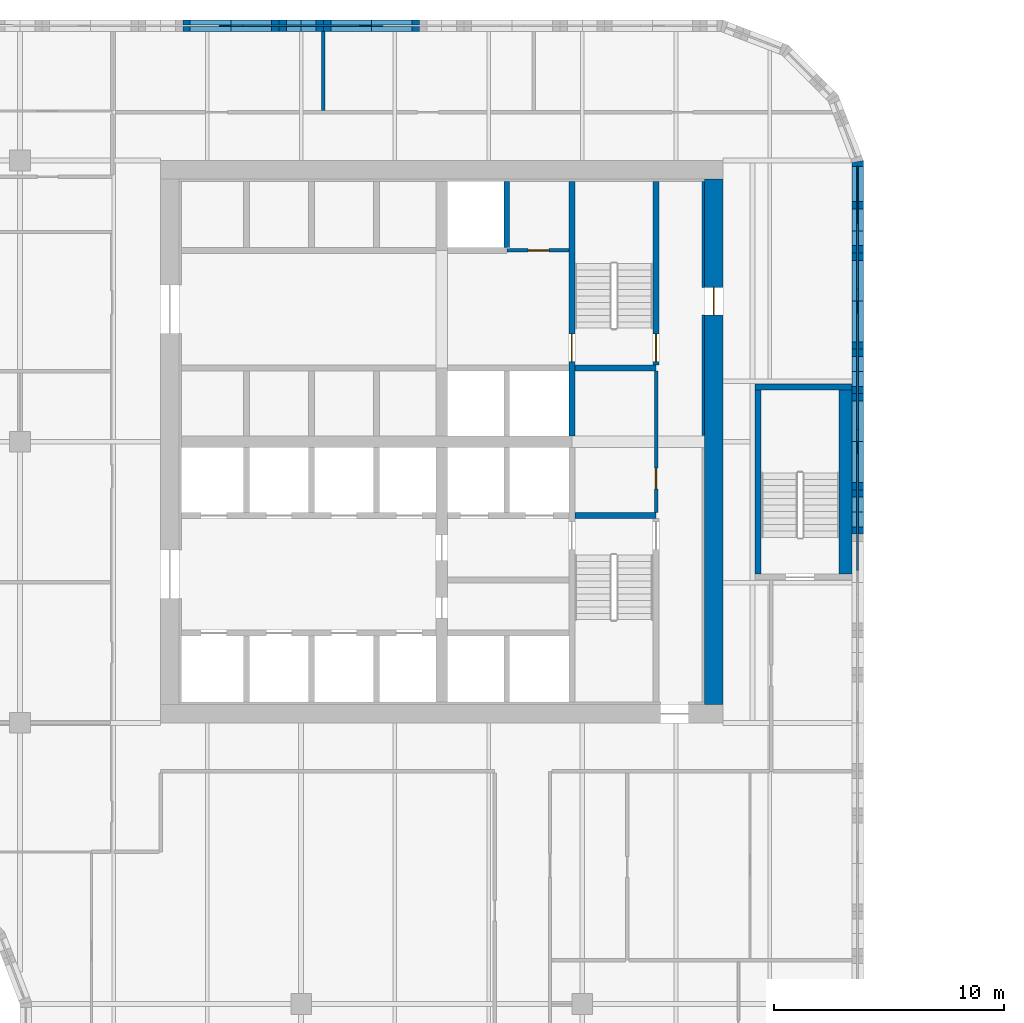
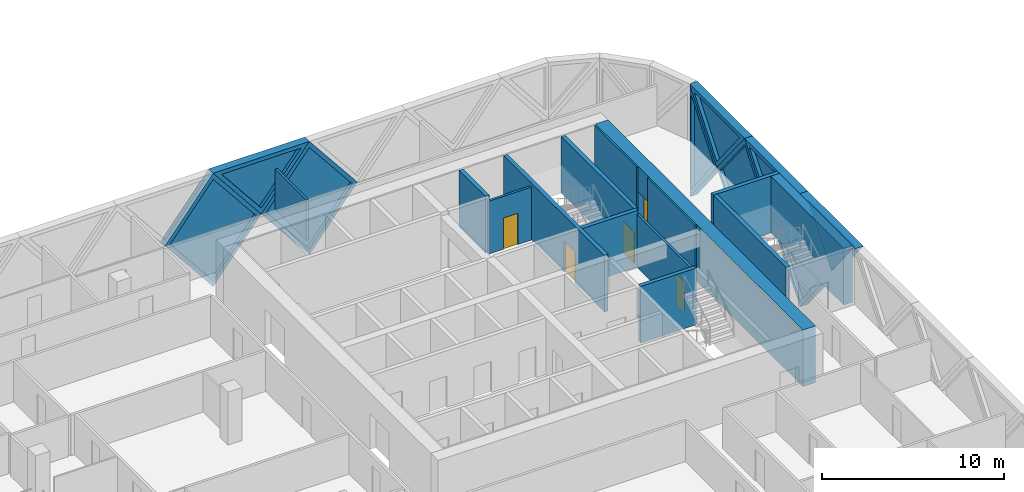
# One storey, part 13 of 24: 23 walls, 9 plates, 5 doors, 14 openings.
"""IFC4 building model written with IfcOpenShell, lengths in metres."""

from ifc_helpers import new_model, si_unit, direction, frame, frame_2d, origin, place, context, subcontext, project, spatial, polyline, rectangle, outline, extrude, faceted_brep, source, transform, mapped, material, layer, layer_set, type_object, element, fill, save


model = new_model("IFC4")

# Units and contexts
model_context = context("Model", 3, precision=1e-05, world=origin(), true_north=direction((0.0, 1.0)))
body_context = subcontext(model_context, "Body", "Model", "MODEL_VIEW")
ifc_project = project(units=[si_unit("LENGTHUNIT", "METRE"), si_unit("AREAUNIT", "SQUARE_METRE"), si_unit("VOLUMEUNIT", "CUBIC_METRE"), si_unit("PLANEANGLEUNIT", "RADIAN"), si_unit("MASSUNIT", "GRAM", prefix="KILO")], contexts=[model_context])

# Site, building, storey
site_placement = place(None, origin())
site = spatial("IfcSite", under=ifc_project, at=site_placement, CompositionType="ELEMENT")
building_placement = place(site_placement, origin())
building = spatial("IfcBuilding", under=site, at=building_placement, Name="Tessera Gate Towers", CompositionType="ELEMENT")
storey_placement = place(building_placement, frame((0.0, 0.0, 102.800048828125)))
storey = spatial("IfcBuildingStorey", under=building, at=storey_placement, Name="L25", CompositionType="ELEMENT", Elevation=102.800048828125)

# Wall, opening, door
ifc_material_1 = material(Name="Concrete C40/50", Category="concrete")
ifc_layer_1 = layer(ifc_material_1, 0.25)
ifc_layer_set_1 = layer_set([ifc_layer_1], Name="CORE ENCLOSURE WALL 250")
wall_type_1 = type_object("IfcWallType", Name="CORE ENCLOSURE WALL 250", PredefinedType="SOLIDWALL", material=ifc_layer_set_1)
wall_1_placement = place(storey_placement, frame((48.35009765625, 47.89990234375, 0.0), z_axis=(0.0, 0.0, 1.0), x_axis=(0.0, -1.0, 0.0)))
wall_1 = element("IfcWall", 1, at=wall_1_placement, inside=storey, type_object=wall_type_1, Name="L25 shaft and stair enclosure wall", PredefinedType="SOLIDWALL", context=body_context, shape_type="SweptSolid", body=[
    extrude(rectangle(XDim=11.0498046875, YDim=0.25, at=frame_2d((5.52490234375, 0.0))), origin(), (0.0, 0.0, 1.0), 3.800048828125),
])
shared_shape_1 = source(origin(), body_context, "Body", "SweptSolid", [
    extrude(rectangle(XDim=1.199951171875, YDim=2.10009765625, at=frame_2d((0.60009765625, 1.050048828125))), frame((0.0, 0.135009765625, 0.0), z_axis=(0.0, -1.0, 0.0), x_axis=(1.0, 0.0, 0.0)), (0.0, 0.0, 1.0), 0.27001953125),
])
opening_1_placement = place(wall_1_placement, frame((6.625, 0.0, 0.0)))
opening_1 = element("IfcOpeningElement", 2, at=opening_1_placement, cuts=wall_1, Name="Opening SD-ST2-1", PredefinedType="OPENING", context=body_context, shape_type="MappedRepresentation", body=[
    mapped(shared_shape_1, transform((0.0, 0.0, 0.0), scale=1.0)),
])
ifc_material_2 = material(Name="Hollow steel fire door", Category="steel")
door_type_1 = type_object("IfcDoorType", Name="CORE DOOR SD 1200x2100", OperationType="NOTDEFINED", PredefinedType="DOOR", material=ifc_material_2)
shared_shape_2 = source(origin(), body_context, "Body", "SweptSolid", [
    extrude(rectangle(XDim=1.199951171875, YDim=2.10009765625, at=frame_2d((0.60009765625, 1.050048828125))), frame((0.0, 0.02490234375, 0.0), z_axis=(0.0, -1.0, 0.0), x_axis=(1.0, 0.0, 0.0)), (0.0, 0.0, 1.0), 0.050048828125),
])
door_1_placement = place(opening_1_placement, origin())
door_1 = element("IfcDoor", 3, at=door_1_placement, inside=storey, type_object=door_type_1, Name="Stair door", OperationType="SINGLE_SWING_RIGHT", OverallHeight=2.10009765625, OverallWidth=1.199951171875, PredefinedType="DOOR", context=body_context, shape_type="MappedRepresentation", body=[
    mapped(shared_shape_2, transform((0.0, 0.0, 0.0), scale=1.0)),
])
fill(opening_1, door_1)

# Walls
for number, where, z_axis, x_axis, name in (
    (4, (48.47509765625, 33.39990234375, 0.0), (0.0, 0.0, 1.0), (1.0, 0.0, 0.0), "L25 shaft and stair enclosure wall"),
    (5, (48.47509765625, 39.800048828125, 0.0), (0.0, 0.0, 1.0), (1.0, 0.0, 0.0), "L25 shaft and stair enclosure wall"),
):
    element("IfcWall", number, at=place(storey_placement, frame(where, z_axis=z_axis, x_axis=x_axis)), inside=storey, type_object=wall_type_1, Name=name, PredefinedType="SOLIDWALL", context=body_context, shape_type="SweptSolid", body=[
        extrude(rectangle(XDim=3.52490234375, YDim=0.25, at=frame_2d((1.762451171875, 0.0))), origin(), (0.0, 0.0, 1.0), 3.800048828125),
    ])

# Wall, opening, door
wall_2_placement = place(storey_placement, frame((52.0, 39.925048828125, 0.0), z_axis=(0.0, 0.0, 1.0), x_axis=(0.0, 1.0, 0.0)))
wall_2 = element("IfcWall", 6, at=wall_2_placement, inside=storey, type_object=wall_type_1, Name="L25 shaft and stair enclosure wall", PredefinedType="SOLIDWALL", context=body_context, shape_type="SweptSolid", body=[
    extrude(rectangle(XDim=7.974853515625, YDim=0.25, at=frame_2d((3.9873046875, 0.0))), origin(), (0.0, 0.0, 1.0), 3.800048828125),
])
opening_2_placement = place(wall_2_placement, frame((0.14990234375, 0.0, 0.0)))
opening_2 = element("IfcOpeningElement", 7, at=opening_2_placement, cuts=wall_2, Name="Opening SD-ST2-2", PredefinedType="OPENING", context=body_context, shape_type="MappedRepresentation", body=[
    mapped(shared_shape_1, transform((0.0, 0.0, 0.0), scale=1.0)),
])
door_2_placement = place(opening_2_placement, origin())
door_2 = element("IfcDoor", 8, at=door_2_placement, inside=storey, type_object=door_type_1, Name="Stair door", OperationType="SINGLE_SWING_LEFT", OverallHeight=2.10009765625, OverallWidth=1.199951171875, PredefinedType="DOOR", context=body_context, shape_type="MappedRepresentation", body=[
    mapped(shared_shape_2, transform((0.0, 0.0, 0.0), scale=1.0)),
])
fill(opening_2, door_2)

# Walls
wall_3_placement = place(storey_placement, frame((45.52490234375, 45.02490234375, 0.0), z_axis=(0.0, 0.0, 1.0), x_axis=(0.0, 1.0, 0.0)))
element("IfcWall", 9, at=wall_3_placement, inside=storey, type_object=wall_type_1, Name="L25 shaft and stair enclosure wall", PredefinedType="SOLIDWALL", context=body_context, shape_type="SweptSolid", body=[
    extrude(rectangle(XDim=2.875, YDim=0.25, at=frame_2d((1.4375, 0.0))), origin(), (0.0, 0.0, 1.0), 3.800048828125),
])
wall_4_placement = place(storey_placement, frame((56.425048828125, 30.85009765625, 0.0), z_axis=(0.0, 0.0, 1.0), x_axis=(0.0, 1.0, 0.0)))
element("IfcWall", 10, at=wall_4_placement, inside=storey, type_object=wall_type_1, Name="L25 ST5 enclosure wall", PredefinedType="SOLIDWALL", context=body_context, shape_type="SweptSolid", body=[
    extrude(rectangle(XDim=8.0, YDim=0.25, at=frame_2d((4.0, 0.0))), origin(), (0.0, 0.0, 1.0), 3.800048828125),
])
wall_5_placement = place(storey_placement, frame((56.300048828125, 38.97509765625, 0.0), z_axis=(0.0, 0.0, 1.0), x_axis=(1.0, 0.0, 0.0)))
element("IfcWall", 11, at=wall_5_placement, inside=storey, type_object=wall_type_1, Name="L25 ST5 enclosure wall", PredefinedType="SOLIDWALL", context=body_context, shape_type="SweptSolid", body=[
    extrude(rectangle(XDim=4.199951171875, YDim=0.25, at=frame_2d((2.10009765625, 0.0))), origin(), (0.0, 0.0, 1.0), 3.800048828125),
])
ifc_material_3 = material(Name="Concrete C40/50", Category="concrete")
ifc_layer_2 = layer(ifc_material_3, 0.550048828125)
ifc_layer_set_2 = layer_set([ifc_layer_2], Name="CORE ENCLOSURE WALL 550")
wall_type_2 = type_object("IfcWallType", Name="CORE ENCLOSURE WALL 550", PredefinedType="SOLIDWALL", material=ifc_layer_set_2)
wall_6_placement = place(storey_placement, frame((60.22509765625, 38.85009765625, 0.0), z_axis=(0.0, 0.0, 1.0), x_axis=(0.0, -1.0, 0.0)))
element("IfcWall", 12, at=wall_6_placement, inside=storey, type_object=wall_type_2, Name="L25 ST5 enclosure wall", PredefinedType="SOLIDWALL", context=body_context, shape_type="SweptSolid", body=[
    extrude(rectangle(XDim=8.0, YDim=0.550048828125, at=frame_2d((4.0, 0.0))), origin(), (0.0, 0.0, 1.0), 3.800048828125),
])

# Wall, opening, door
ifc_material_4 = material(Name="Concrete C60/75", Category="concrete")
ifc_layer_3 = layer(ifc_material_4, 0.800048828125)
ifc_layer_set_3 = layer_set([ifc_layer_3], Name="CORE SHEAR WALL 800 C60/75")
wall_type_3 = type_object("IfcWallType", Name="CORE SHEAR WALL 800 C60/75", PredefinedType="SHEAR", material=ifc_layer_set_3)
wall_7_placement = place(storey_placement, frame((54.5, 48.0, 0.0), z_axis=(0.0, 0.0, 1.0), x_axis=(0.0, -1.0, 0.0)))
wall_7 = element("IfcWall", 13, at=wall_7_placement, inside=storey, type_object=wall_type_3, Name="Core wall E L25", PredefinedType="SHEAR", context=body_context, shape_type="SweptSolid", body=[
    extrude(rectangle(XDim=22.800048828125, YDim=0.800048828125, at=frame_2d((11.39990234375, 0.0))), origin(), (0.0, 0.0, 1.0), 3.800048828125),
])
shared_shape_3 = source(origin(), body_context, "Body", "SweptSolid", [
    extrude(rectangle(XDim=1.199951171875, YDim=2.10009765625, at=frame_2d((0.60009765625, 1.050048828125))), frame((0.0, 0.409912109375, 0.0), z_axis=(0.0, -1.0, 0.0), x_axis=(1.0, 0.0, 0.0)), (0.0, 0.0, 1.0), 0.820068359375),
])
opening_3_placement = place(wall_7_placement, frame((4.699951171875, 0.0, 0.0)))
opening_3 = element("IfcOpeningElement", 14, at=opening_3_placement, cuts=wall_7, Name="Opening ED-T1-17-04", PredefinedType="OPENING", context=body_context, shape_type="MappedRepresentation", body=[
    mapped(shared_shape_3, transform((0.0, 0.0, 0.0), scale=1.0)),
])
ifc_material_5 = material(Name="Hollow steel fire door", Category="steel")
door_type_2 = type_object("IfcDoorType", Name="CORE DOOR ED 1200x2100", OperationType="NOTDEFINED", PredefinedType="DOOR", material=ifc_material_5)
door_3_placement = place(opening_3_placement, origin())
door_3 = element("IfcDoor", 15, at=door_3_placement, inside=storey, type_object=door_type_2, Name="Core exit door", OperationType="SINGLE_SWING_LEFT", OverallHeight=2.10009765625, OverallWidth=1.199951171875, PredefinedType="DOOR", context=body_context, shape_type="MappedRepresentation", body=[
    mapped(shared_shape_2, transform((0.0, 0.0, 0.0), scale=1.0)),
])
fill(opening_3, door_3)

# Walls
ifc_material_6 = material(Name="Concrete C60/75", Category="concrete")
ifc_layer_4 = layer(ifc_material_6, 0.10009765625)
ifc_layer_set_4 = layer_set([ifc_layer_4], Name="CORE WALL THICKENING 100")
wall_type_4 = type_object("IfcWallType", Name="CORE WALL THICKENING 100", PredefinedType="SOLIDWALL", material=ifc_layer_set_4)
wall_8_placement = place(storey_placement, frame((54.050048828125, 36.8798828125, 0.0), z_axis=(0.0, 0.0, 1.0), x_axis=(0.0, 1.0, 0.0)))
element("IfcWall", 16, at=wall_8_placement, inside=storey, type_object=wall_type_4, Name="Core wall thickening E L25", PredefinedType="SOLIDWALL", context=body_context, shape_type="SweptSolid", body=[
    extrude(rectangle(XDim=5.22021484375, YDim=0.10009765625, at=frame_2d((2.610107421875, 0.0))), origin(), (0.0, 0.0, 1.0), 3.800048828125),
])
wall_9_placement = place(storey_placement, frame((54.050048828125, 43.300048828125, 0.0), z_axis=(0.0, 0.0, 1.0), x_axis=(0.0, 1.0, 0.0)))
element("IfcWall", 17, at=wall_9_placement, inside=storey, type_object=wall_type_4, Name="Core wall thickening E L25", PredefinedType="SOLIDWALL", context=body_context, shape_type="SweptSolid", body=[
    extrude(rectangle(XDim=4.599853515625, YDim=0.10009765625, at=frame_2d((2.2998046875, 0.0))), origin(), (0.0, 0.0, 1.0), 3.800048828125),
])

# Wall, opening, door
ifc_material_7 = material(Name="Gypsum board on steel studs", Category="steel")
ifc_layer_5 = layer(ifc_material_7, 0.14990234375)
ifc_layer_set_5 = layer_set([ifc_layer_5], Name="SERVICE ROOM WALL 150")
wall_type_5 = type_object("IfcWallType", Name="SERVICE ROOM WALL 150", PredefinedType="PARTITIONING", material=ifc_layer_set_5)
wall_10_placement = place(storey_placement, frame((52.0, 33.52490234375, 0.0), z_axis=(0.0, 0.0, 1.0), x_axis=(0.0, 1.0, 0.0)))
wall_10 = element("IfcWall", 18, at=wall_10_placement, inside=storey, type_object=wall_type_5, Name="L25 service room wall", PredefinedType="PARTITIONING", context=body_context, shape_type="SweptSolid", body=[
    extrude(rectangle(XDim=6.150146484375, YDim=0.14990234375, at=frame_2d((3.0751953125, 0.0))), origin(), (0.0, 0.0, 1.0), 3.550048828125),
])
shared_shape_4 = source(origin(), body_context, "Body", "SweptSolid", [
    extrude(rectangle(XDim=0.89990234375, YDim=2.10009765625, at=frame_2d((0.449951171875, 1.050048828125))), frame((0.0, 0.0849609375, 0.0), z_axis=(0.0, -1.0, 0.0), x_axis=(1.0, 0.0, 0.0)), (0.0, 0.0, 1.0), 0.169921875),
])
opening_4_placement = place(wall_10_placement, frame((1.02490234375, 0.0, 0.0)))
opening_4 = element("IfcOpeningElement", 19, at=opening_4_placement, cuts=wall_10, Name="Opening RD-T1-17-07", PredefinedType="OPENING", context=body_context, shape_type="MappedRepresentation", body=[
    mapped(shared_shape_4, transform((0.0, 0.0, 0.0), scale=1.0)),
])
ifc_material_8 = material(Name="Hollow steel fire door", Category="steel")
door_type_3 = type_object("IfcDoorType", Name="CORE DOOR RD 900x2100", OperationType="NOTDEFINED", PredefinedType="DOOR", material=ifc_material_8)
shared_shape_5 = source(origin(), body_context, "Body", "SweptSolid", [
    extrude(rectangle(XDim=0.89990234375, YDim=2.10009765625, at=frame_2d((0.449951171875, 1.050048828125))), frame((0.0, 0.02490234375, 0.0), z_axis=(0.0, -1.0, 0.0), x_axis=(1.0, 0.0, 0.0)), (0.0, 0.0, 1.0), 0.050048828125),
])
door_4_placement = place(opening_4_placement, origin())
door_4 = element("IfcDoor", 20, at=door_4_placement, inside=storey, type_object=door_type_3, Name="Core room door", OperationType="SINGLE_SWING_LEFT", OverallHeight=2.10009765625, OverallWidth=0.89990234375, PredefinedType="DOOR", context=body_context, shape_type="MappedRepresentation", body=[
    mapped(shared_shape_5, transform((0.0, 0.0, 0.0), scale=1.0)),
])
fill(opening_4, door_4)

wall_11_placement = place(storey_placement, frame((45.52490234375, 44.89990234375, 0.0), z_axis=(0.0, 0.0, 1.0), x_axis=(1.0, 0.0, 0.0)))
wall_11 = element("IfcWall", 21, at=wall_11_placement, inside=storey, type_object=wall_type_5, Name="L25 service room wall", PredefinedType="PARTITIONING", context=body_context, shape_type="SweptSolid", body=[
    extrude(rectangle(XDim=2.7001953125, YDim=0.14990234375, at=frame_2d((1.35009765625, 0.0))), origin(), (0.0, 0.0, 1.0), 3.550048828125),
])
opening_5_placement = place(wall_11_placement, frame((0.925048828125, 0.0, 0.0)))
opening_5 = element("IfcOpeningElement", 22, at=opening_5_placement, cuts=wall_11, Name="Opening RD-T1-17-08", PredefinedType="OPENING", context=body_context, shape_type="MappedRepresentation", body=[
    mapped(shared_shape_4, transform((0.0, 0.0, 0.0), scale=1.0)),
])
door_5_placement = place(opening_5_placement, origin())
door_5 = element("IfcDoor", 23, at=door_5_placement, inside=storey, type_object=door_type_3, Name="Core room door", OperationType="SINGLE_SWING_RIGHT", OverallHeight=2.10009765625, OverallWidth=0.89990234375, PredefinedType="DOOR", context=body_context, shape_type="MappedRepresentation", body=[
    mapped(shared_shape_5, transform((0.0, 0.0, 0.0), scale=1.0)),
])
fill(opening_5, door_5)

# Wall
ifc_material_9 = material(Name="Gypsum board on steel studs, mineral wool", Category="steel")
ifc_layer_6 = layer(ifc_material_9, 0.14990234375)
ifc_layer_set_6 = layer_set([ifc_layer_6], Name="TENANCY WALL 150")
wall_type_6 = type_object("IfcWallType", Name="TENANCY WALL 150", PredefinedType="PARTITIONING", material=ifc_layer_set_6)
wall_12_placement = place(storey_placement, frame((37.550048828125, 50.97607421875, 0.0), z_axis=(0.0, 0.0, 1.0), x_axis=(0.0, 1.0, 0.0)))
element("IfcWall", 24, at=wall_12_placement, inside=storey, type_object=wall_type_6, Name="T1-L25-PW-051", PredefinedType="PARTITIONING", context=body_context, shape_type="SweptSolid", body=[
    extrude(rectangle(XDim=3.423828125, YDim=0.14990234375, at=frame_2d((1.7119140625, 0.0))), origin(), (0.0, 0.0, 1.0), 2.71484375),
])

# Wall, opening, plate
ifc_material_10 = material(Name="Precast concrete C60/75 white", Category="concrete")
ifc_layer_7 = layer(ifc_material_10, 0.5)
ifc_layer_set_7 = layer_set([ifc_layer_7], Name="TS1 tessera")
wall_type_7 = type_object("IfcWallType", Name="TS1 tessera", PredefinedType="SOLIDWALL", material=ifc_layer_set_7)
shared_shape_6 = source(origin(), body_context, "Body", "Brep", [
    faceted_brep([(3.050048828125, -0.25, 0.0), (6.099853515625, -0.25, 3.7998046875), (6.099853515625, -0.25, 3.80029296875), (3.050048828125, -0.25, 7.60009765625), (0.0, -0.25, 3.800048828125), (0.0, 0.25, 3.800048828125), (3.050048828125, 0.25, 7.60009765625), (6.099853515625, 0.25, 3.80029296875), (6.099853515625, 0.25, 3.7998046875), (3.050048828125, 0.25, 0.0)], [[[0, 1, 2, 3, 4]], [[5, 6, 7, 8, 9]], [[9, 8, 1, 0]], [[7, 6, 3, 2]], [[6, 5, 4, 3]], [[5, 9, 0, 4]], [[1, 8, 7, 2]]]),
])
wall_13_placement = place(storey_placement, frame((60.75, 33.550048828125, -3.800048828125), z_axis=(0.0, 0.0, 1.0), x_axis=(0.0, 1.0, 0.0)))
wall_13 = element("IfcWall", 25, at=wall_13_placement, inside=storey, type_object=wall_type_7, Name="Precast tessera T1 TS1-0422", PredefinedType="SOLIDWALL", context=body_context, shape_type="MappedRepresentation", body=[
    mapped(shared_shape_6, transform((0.0, 0.0, 0.0), scale=1.0)),
])
shared_shape_7 = source(origin(), body_context, "Body", "SweptSolid", [
    extrude(outline(polyline([(3.050048828125, 0.3994140625), (5.779541015625, 3.800048828125), (3.050048828125, 7.20068359375), (0.320556640625, 3.800048828125), (3.050048828125, 0.3994140625)])), frame((0.0, 0.260009765625, 0.0), z_axis=(0.0, -1.0, 0.0), x_axis=(1.0, 0.0, 0.0)), (0.0, 0.0, 1.0), 0.52001953125),
])
opening_6_placement = place(wall_13_placement, origin())
opening_6 = element("IfcOpeningElement", 26, at=opening_6_placement, cuts=wall_13, Name="Opening T1-PL2-0858", PredefinedType="OPENING", context=body_context, shape_type="MappedRepresentation", body=[
    mapped(shared_shape_7, transform((0.0, 0.0, 0.0), scale=1.0)),
])
ifc_material_11 = material(Name="Low-e laminated glass", Category="glass")
ifc_layer_8 = layer(ifc_material_11, 0.06005859375)
ifc_layer_set_8 = layer_set([ifc_layer_8], Name="PL2 rhombic pane")
plate_type_1 = type_object("IfcPlateType", Name="PL2 rhombic pane", PredefinedType="SHEET", material=ifc_layer_set_8)
shared_shape_8 = source(origin(), body_context, "Body", "SweptSolid", [
    extrude(outline(polyline([(3.050048828125, 0.3994140625), (5.779541015625, 3.800048828125), (3.050048828125, 7.20068359375), (0.320556640625, 3.800048828125), (3.050048828125, 0.3994140625)])), frame((0.0, 0.030029296875, 0.0), z_axis=(0.0, -1.0, 0.0), x_axis=(1.0, 0.0, 0.0)), (0.0, 0.0, 1.0), 0.06005859375),
])
plate_1_placement = place(opening_6_placement, origin())
plate_1 = element("IfcPlate", 27, at=plate_1_placement, inside=storey, type_object=plate_type_1, Name="Glass pane T1 PL2-0858", PredefinedType="SHEET", context=body_context, shape_type="MappedRepresentation", body=[
    mapped(shared_shape_8, transform((0.0, 0.0, 0.0), scale=1.0)),
])
fill(opening_6, plate_1)

wall_14_placement = place(storey_placement, frame((42.699951171875, 54.64990234375, -3.800048828125), z_axis=(0.0, 0.0, 1.0), x_axis=(-1.0, 0.0, 0.0)))
wall_14 = element("IfcWall", 28, at=wall_14_placement, inside=storey, type_object=wall_type_7, Name="Precast tessera T1 TS1-0426", PredefinedType="SOLIDWALL", context=body_context, shape_type="MappedRepresentation", body=[
    mapped(shared_shape_6, transform((0.0, 0.0, 0.0), scale=1.0)),
])
opening_7_placement = place(wall_14_placement, origin())
opening_7 = element("IfcOpeningElement", 29, at=opening_7_placement, cuts=wall_14, Name="Opening T1-PL2-0866", PredefinedType="OPENING", context=body_context, shape_type="MappedRepresentation", body=[
    mapped(shared_shape_7, transform((0.0, 0.0, 0.0), scale=1.0)),
])
plate_2_placement = place(opening_7_placement, origin())
plate_2 = element("IfcPlate", 30, at=plate_2_placement, inside=storey, type_object=plate_type_1, Name="Glass pane T1 PL2-0866", PredefinedType="SHEET", context=body_context, shape_type="MappedRepresentation", body=[
    mapped(shared_shape_8, transform((0.0, 0.0, 0.0), scale=1.0)),
])
fill(opening_7, plate_2)

shared_shape_9 = source(origin(), body_context, "Body", "SweptSolid", [
    extrude(outline(polyline([(3.050048828125, 0.0), (6.10009765625, 3.800048828125), (3.050048828125, 7.60009765625), (0.0, 3.800048828125), (3.050048828125, 0.0)])), frame((0.0, 0.25, 0.0), z_axis=(0.0, -1.0, 0.0), x_axis=(1.0, 0.0, 0.0)), (0.0, 0.0, 1.0), 0.5),
])
wall_15_placement = place(storey_placement, frame((60.75, 39.64990234375, -3.800048828125), z_axis=(0.0, 0.0, 1.0), x_axis=(0.0, 1.0, 0.0)))
wall_15 = element("IfcWall", 31, at=wall_15_placement, inside=storey, type_object=wall_type_7, Name="Precast tessera T1 TS1-0423", PredefinedType="SOLIDWALL", context=body_context, shape_type="MappedRepresentation", body=[
    mapped(shared_shape_9, transform((0.0, 0.0, 0.0), scale=1.0)),
])
opening_8_placement = place(wall_15_placement, origin())
opening_8 = element("IfcOpeningElement", 32, at=opening_8_placement, cuts=wall_15, Name="Opening T1-PL2-0859", PredefinedType="OPENING", context=body_context, shape_type="MappedRepresentation", body=[
    mapped(shared_shape_7, transform((0.0, 0.0, 0.0), scale=1.0)),
])
plate_3_placement = place(opening_8_placement, origin())
plate_3 = element("IfcPlate", 33, at=plate_3_placement, inside=storey, type_object=plate_type_1, Name="Glass pane T1 PL2-0859", PredefinedType="SHEET", context=body_context, shape_type="MappedRepresentation", body=[
    mapped(shared_shape_8, transform((0.0, 0.0, 0.0), scale=1.0)),
])
fill(opening_8, plate_3)

wall_16_placement = place(storey_placement, frame((36.60009765625, 54.64990234375, -3.800048828125), z_axis=(0.0, 0.0, 1.0), x_axis=(-1.0, 0.0, 0.0)))
wall_16 = element("IfcWall", 34, at=wall_16_placement, inside=storey, type_object=wall_type_7, Name="Precast tessera T1 TS1-0427", PredefinedType="SOLIDWALL", context=body_context, shape_type="MappedRepresentation", body=[
    mapped(shared_shape_9, transform((0.0, 0.0, 0.0), scale=1.0)),
])
opening_9_placement = place(wall_16_placement, origin())
opening_9 = element("IfcOpeningElement", 35, at=opening_9_placement, cuts=wall_16, Name="Opening T1-PL2-0867", PredefinedType="OPENING", context=body_context, shape_type="MappedRepresentation", body=[
    mapped(shared_shape_7, transform((0.0, 0.0, 0.0), scale=1.0)),
])
plate_4_placement = place(opening_9_placement, origin())
plate_4 = element("IfcPlate", 36, at=plate_4_placement, inside=storey, type_object=plate_type_1, Name="Glass pane T1 PL2-0867", PredefinedType="SHEET", context=body_context, shape_type="MappedRepresentation", body=[
    mapped(shared_shape_8, transform((0.0, 0.0, 0.0), scale=1.0)),
])
fill(opening_9, plate_4)

ifc_material_12 = material(Name="Precast concrete C60/75 white", Category="concrete")
ifc_layer_9 = layer(ifc_material_12, 0.5)
ifc_layer_set_9 = layer_set([ifc_layer_9], Name="TS3 corner tessera")
wall_type_8 = type_object("IfcWallType", Name="TS3 corner tessera", PredefinedType="SOLIDWALL", material=ifc_layer_set_9)
shared_shape_10 = source(origin(), body_context, "Body", "Brep", [
    faceted_brep([(3.00341796875, -0.25, 0.0), (3.050048828125, -0.25, 0.06005859375), (3.050048828125, -0.25, 7.5400390625), (3.00341796875, -0.25, 7.60009765625), (0.0, -0.25, 3.800048828125), (0.0, 0.25, 3.800048828125), (2.956787109375, 0.25, 7.541259765625), (2.956787109375, 0.25, 0.058837890625), (3.00341796875, 0.000244140625, 0.0), (3.00341796875, 0.000244140625, 7.60009765625)], [[[0, 1, 2, 3, 4]], [[5, 6, 7]], [[1, 0, 8]], [[9, 3, 2]], [[6, 5, 4, 3, 9]], [[5, 7, 8, 0, 4]], [[1, 8, 7, 6, 9, 2]]]),
])
wall_17_placement = place(storey_placement, frame((60.75, 45.75, -3.800048828125), z_axis=(0.0, 0.0, 1.0), x_axis=(0.0, 1.0, 0.0)))
wall_17 = element("IfcWall", 37, at=wall_17_placement, inside=storey, type_object=wall_type_8, Name="Precast corner tessera T1 TS3-0557", PredefinedType="SOLIDWALL", context=body_context, shape_type="MappedRepresentation", body=[
    mapped(shared_shape_10, transform((0.0, 0.0, 0.0), scale=1.0)),
])
shared_shape_11 = source(origin(), body_context, "Body", "SweptSolid", [
    extrude(outline(polyline([(2.803466796875, 6.94384765625), (0.318603515625, 3.800048828125), (2.803466796875, 0.65625), (2.803466796875, 6.94384765625)])), frame((0.0, 0.260009765625, 0.0), z_axis=(0.0, -1.0, 0.0), x_axis=(1.0, 0.0, 0.0)), (0.0, 0.0, 1.0), 0.52001953125),
])
opening_10_placement = place(wall_17_placement, origin())
opening_10 = element("IfcOpeningElement", 38, at=opening_10_placement, cuts=wall_17, Name="Opening T1-PL2-0860", PredefinedType="OPENING", context=body_context, shape_type="MappedRepresentation", body=[
    mapped(shared_shape_11, transform((0.0, 0.0, 0.0), scale=1.0)),
])
shared_shape_12 = source(origin(), body_context, "Body", "SweptSolid", [
    extrude(outline(polyline([(2.803466796875, 6.94384765625), (0.318603515625, 3.800048828125), (2.803466796875, 0.65625), (2.803466796875, 6.94384765625)])), frame((0.0, 0.030029296875, 0.0), z_axis=(0.0, -1.0, 0.0), x_axis=(1.0, 0.0, 0.0)), (0.0, 0.0, 1.0), 0.06005859375),
])
plate_5_placement = place(opening_10_placement, origin())
plate_5 = element("IfcPlate", 39, at=plate_5_placement, inside=storey, type_object=plate_type_1, Name="Glass pane T1 PL2-0860", PredefinedType="SHEET", context=body_context, shape_type="MappedRepresentation", body=[
    mapped(shared_shape_12, transform((0.0, 0.0, 0.0), scale=1.0)),
])
fill(opening_10, plate_5)

ifc_material_13 = material(Name="Precast concrete C60/75 white", Category="concrete")
ifc_layer_10 = layer(ifc_material_13, 0.5)
ifc_layer_set_10 = layer_set([ifc_layer_10], Name="TS2 half tessera")
wall_type_9 = type_object("IfcWallType", Name="TS2 half tessera", PredefinedType="SOLIDWALL", material=ifc_layer_set_10)
shared_shape_13 = source(origin(), body_context, "Body", "Brep", [
    faceted_brep([(3.050048828125, -0.25, 0.0), (6.099853515625, -0.25, 3.7998046875), (6.099853515625, -0.25, 3.800048828125), (0.0, -0.25, 3.800048828125), (0.0, 0.25, 3.800048828125), (6.099853515625, 0.25, 3.800048828125), (6.099853515625, 0.25, 3.7998046875), (3.050048828125, 0.25, 0.0)], [[[0, 1, 2, 3]], [[4, 5, 6, 7]], [[7, 6, 1, 0]], [[5, 4, 3, 2]], [[4, 7, 0, 3]], [[1, 6, 5, 2]]]),
])
wall_18_placement = place(storey_placement, frame((60.75, 36.60009765625, 0.0), z_axis=(0.0, 0.0, 1.0), x_axis=(0.0, 1.0, 0.0)))
wall_18 = element("IfcWall", 40, at=wall_18_placement, inside=storey, type_object=wall_type_9, Name="Precast half tessera T1 TS2-0123", PredefinedType="SOLIDWALL", context=body_context, shape_type="MappedRepresentation", body=[
    mapped(shared_shape_13, transform((0.0, 0.0, 0.0), scale=1.0)),
])
shared_shape_14 = source(origin(), body_context, "Body", "SweptSolid", [
    extrude(outline(polyline([(3.050048828125, 0.3994140625), (5.578857421875, 3.550048828125), (0.521240234375, 3.550048828125), (3.050048828125, 0.3994140625)])), frame((0.0, 0.260009765625, 0.0), z_axis=(0.0, -1.0, 0.0), x_axis=(1.0, 0.0, 0.0)), (0.0, 0.0, 1.0), 0.52001953125),
])
opening_11_placement = place(wall_18_placement, origin())
opening_11 = element("IfcOpeningElement", 41, at=opening_11_placement, cuts=wall_18, Name="Opening T1-PL1-0249", PredefinedType="OPENING", context=body_context, shape_type="MappedRepresentation", body=[
    mapped(shared_shape_14, transform((0.0, 0.0, 0.0), scale=1.0)),
])
ifc_material_14 = material(Name="Low-e laminated glass", Category="glass")
ifc_layer_11 = layer(ifc_material_14, 0.06005859375)
ifc_layer_set_11 = layer_set([ifc_layer_11], Name="PL1 triangular pane")
plate_type_2 = type_object("IfcPlateType", Name="PL1 triangular pane", PredefinedType="SHEET", material=ifc_layer_set_11)
shared_shape_15 = source(origin(), body_context, "Body", "SweptSolid", [
    extrude(outline(polyline([(3.050048828125, 0.3994140625), (5.578857421875, 3.550048828125), (0.521240234375, 3.550048828125), (3.050048828125, 0.3994140625)])), frame((0.0, 0.030029296875, 0.0), z_axis=(0.0, -1.0, 0.0), x_axis=(1.0, 0.0, 0.0)), (0.0, 0.0, 1.0), 0.06005859375),
])
plate_6_placement = place(opening_11_placement, origin())
plate_6 = element("IfcPlate", 42, at=plate_6_placement, inside=storey, type_object=plate_type_2, Name="Glass pane T1 PL1-0249", PredefinedType="SHEET", context=body_context, shape_type="MappedRepresentation", body=[
    mapped(shared_shape_15, transform((0.0, 0.0, 0.0), scale=1.0)),
])
fill(opening_11, plate_6)

wall_19_placement = place(storey_placement, frame((39.64990234375, 54.64990234375, 0.0), z_axis=(0.0, 0.0, 1.0), x_axis=(-1.0, 0.0, 0.0)))
wall_19 = element("IfcWall", 43, at=wall_19_placement, inside=storey, type_object=wall_type_9, Name="Precast half tessera T1 TS2-0127", PredefinedType="SOLIDWALL", context=body_context, shape_type="MappedRepresentation", body=[
    mapped(shared_shape_13, transform((0.0, 0.0, 0.0), scale=1.0)),
])
opening_12_placement = place(wall_19_placement, origin())
opening_12 = element("IfcOpeningElement", 44, at=opening_12_placement, cuts=wall_19, Name="Opening T1-PL1-0257", PredefinedType="OPENING", context=body_context, shape_type="MappedRepresentation", body=[
    mapped(shared_shape_14, transform((0.0, 0.0, 0.0), scale=1.0)),
])
plate_7_placement = place(opening_12_placement, origin())
plate_7 = element("IfcPlate", 45, at=plate_7_placement, inside=storey, type_object=plate_type_2, Name="Glass pane T1 PL1-0257", PredefinedType="SHEET", context=body_context, shape_type="MappedRepresentation", body=[
    mapped(shared_shape_15, transform((0.0, 0.0, 0.0), scale=1.0)),
])
fill(opening_12, plate_7)

shared_shape_16 = source(origin(), body_context, "Body", "SweptSolid", [
    extrude(outline(polyline([(3.050048828125, 0.0), (6.10009765625, 3.800048828125), (0.0, 3.800048828125), (3.050048828125, 0.0)])), frame((0.0, 0.25, 0.0), z_axis=(0.0, -1.0, 0.0), x_axis=(1.0, 0.0, 0.0)), (0.0, 0.0, 1.0), 0.5),
])
wall_20_placement = place(storey_placement, frame((60.75, 30.5, 0.0), z_axis=(0.0, 0.0, 1.0), x_axis=(0.0, 1.0, 0.0)))
wall_20 = element("IfcWall", 46, at=wall_20_placement, inside=storey, type_object=wall_type_9, Name="Precast half tessera T1 TS2-0122", PredefinedType="SOLIDWALL", context=body_context, shape_type="MappedRepresentation", body=[
    mapped(shared_shape_16, transform((0.0, 0.0, 0.0), scale=1.0)),
])
opening_13_placement = place(wall_20_placement, origin())
opening_13 = element("IfcOpeningElement", 47, at=opening_13_placement, cuts=wall_20, Name="Opening T1-PL1-0248", PredefinedType="OPENING", context=body_context, shape_type="MappedRepresentation", body=[
    mapped(shared_shape_14, transform((0.0, 0.0, 0.0), scale=1.0)),
])
plate_8_placement = place(opening_13_placement, origin())
plate_8 = element("IfcPlate", 48, at=plate_8_placement, inside=storey, type_object=plate_type_2, Name="Glass pane T1 PL1-0248", PredefinedType="SHEET", context=body_context, shape_type="MappedRepresentation", body=[
    mapped(shared_shape_15, transform((0.0, 0.0, 0.0), scale=1.0)),
])
fill(opening_13, plate_8)

shared_shape_17 = source(origin(), body_context, "Body", "Brep", [
    faceted_brep([(3.050048828125, -0.25, 0.0), (6.053466796875, -0.25, 3.800048828125), (0.0, -0.25, 3.800048828125), (0.0, 0.25, 3.800048828125), (6.0068359375, 0.25, 3.800048828125), (6.0068359375, 0.25, 3.7412109375), (3.050048828125, 0.25, 0.0), (6.053466796875, 0.0, 3.800048828125)], [[[0, 1, 2]], [[3, 4, 5, 6]], [[6, 5, 7, 1, 0]], [[4, 3, 2, 1, 7]], [[3, 6, 0, 2]], [[5, 4, 7]]]),
])
wall_21_placement = place(storey_placement, frame((60.75, 42.699951171875, 0.0), z_axis=(0.0, 0.0, 1.0), x_axis=(0.0, 1.0, 0.0)))
wall_21 = element("IfcWall", 49, at=wall_21_placement, inside=storey, type_object=wall_type_9, Name="Precast half tessera T1 TS2-0124", PredefinedType="SOLIDWALL", context=body_context, shape_type="MappedRepresentation", body=[
    mapped(shared_shape_17, transform((0.0, 0.0, 0.0), scale=1.0)),
])
shared_shape_18 = source(origin(), body_context, "Body", "SweptSolid", [
    extrude(outline(polyline([(3.048583984375, 0.401123046875), (5.537109375, 3.550048828125), (0.521240234375, 3.550048828125), (3.048583984375, 0.401123046875)])), frame((0.0, 0.260009765625, 0.0), z_axis=(0.0, -1.0, 0.0), x_axis=(1.0, 0.0, 0.0)), (0.0, 0.0, 1.0), 0.52001953125),
])
opening_14_placement = place(wall_21_placement, origin())
opening_14 = element("IfcOpeningElement", 50, at=opening_14_placement, cuts=wall_21, Name="Opening T1-PL1-0250", PredefinedType="OPENING", context=body_context, shape_type="MappedRepresentation", body=[
    mapped(shared_shape_18, transform((0.0, 0.0, 0.0), scale=1.0)),
])
shared_shape_19 = source(origin(), body_context, "Body", "SweptSolid", [
    extrude(outline(polyline([(3.048583984375, 0.401123046875), (5.537109375, 3.550048828125), (0.521240234375, 3.550048828125), (3.048583984375, 0.401123046875)])), frame((0.0, 0.030029296875, 0.0), z_axis=(0.0, -1.0, 0.0), x_axis=(1.0, 0.0, 0.0)), (0.0, 0.0, 1.0), 0.06005859375),
])
plate_9_placement = place(opening_14_placement, origin())
plate_9 = element("IfcPlate", 51, at=plate_9_placement, inside=storey, type_object=plate_type_2, Name="Glass pane T1 PL1-0250", PredefinedType="SHEET", context=body_context, shape_type="MappedRepresentation", body=[
    mapped(shared_shape_19, transform((0.0, 0.0, 0.0), scale=1.0)),
])
fill(opening_14, plate_9)

save(model, "model.ifc")
